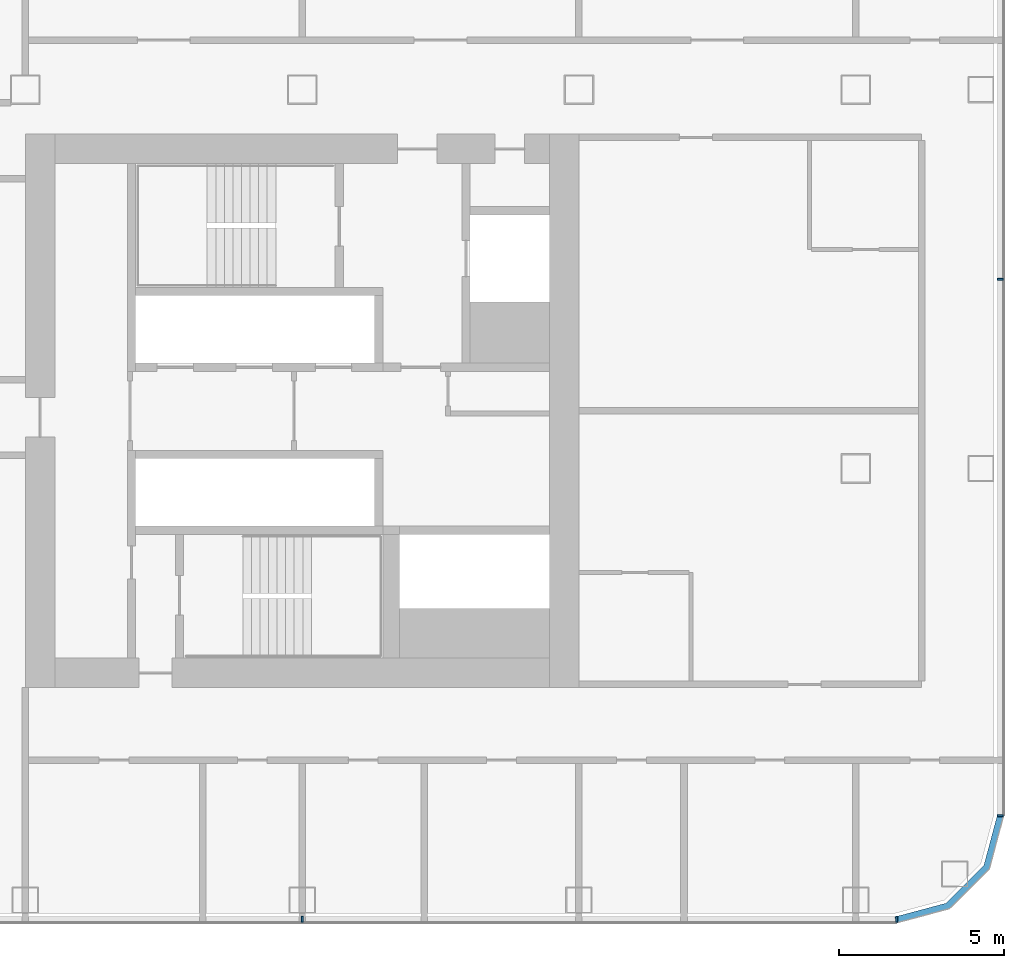
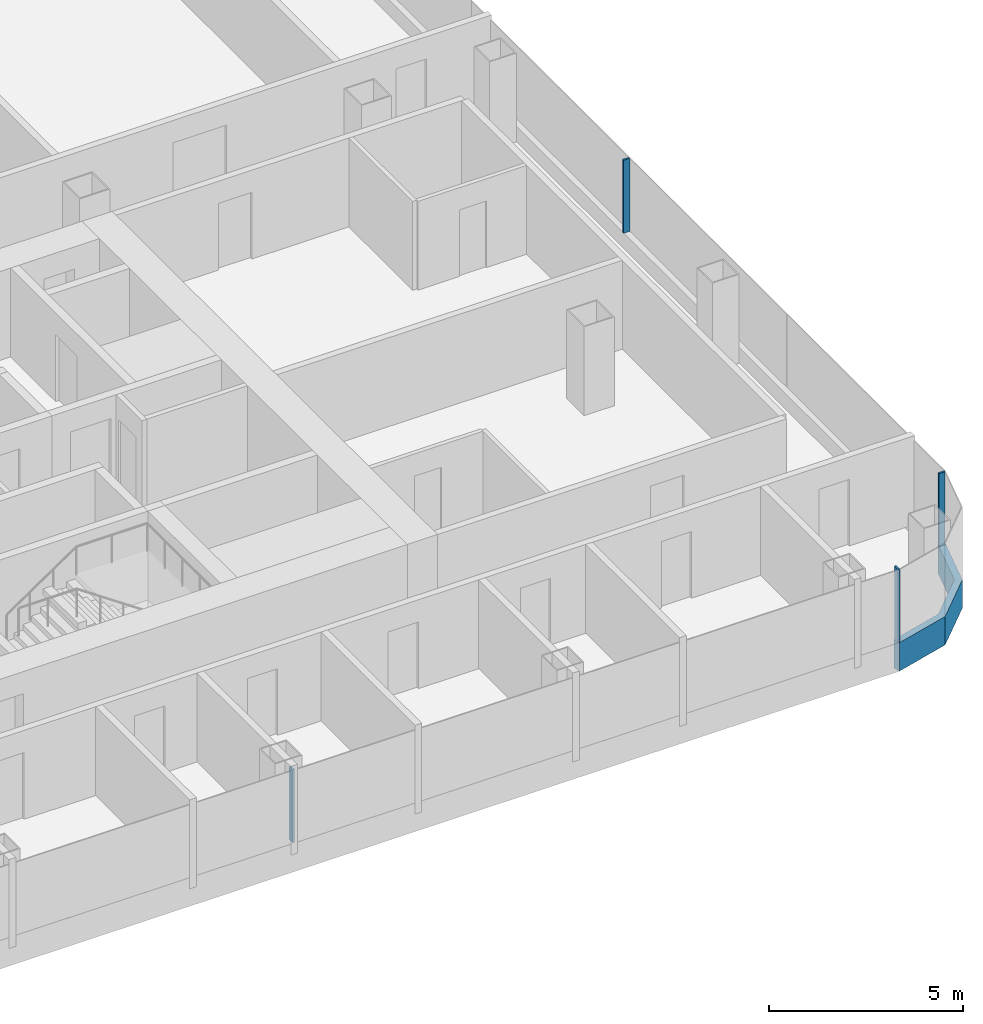
# One storey, part 11 of 29: 5 members, 3 elements without a shape of their own.
"""IFC4 building model written with IfcOpenShell, lengths in metres."""

from ifc_helpers import new_model, si_unit, direction, frame, origin, origin_2d, place, context, subcontext, project, spatial, polyline, rectangle, outline, extrude, material, layer, layer_set, material_profile, profile_set, type_object, element, aggregate, save


model = new_model("IFC4")

# Units and contexts
model_context = context("Model", 3, precision=1e-05, world=origin(), true_north=direction((0.0, 1.0)))
body_context = subcontext(model_context, "Body", "Model", "MODEL_VIEW")
ifc_project = project(units=[si_unit("LENGTHUNIT", "METRE"), si_unit("AREAUNIT", "SQUARE_METRE"), si_unit("VOLUMEUNIT", "CUBIC_METRE"), si_unit("PLANEANGLEUNIT", "RADIAN"), si_unit("MASSUNIT", "GRAM", prefix="KILO")], contexts=[model_context])

# Site, building, storey
site_placement = place(None, origin())
site = spatial("IfcSite", under=ifc_project, at=site_placement, CompositionType="ELEMENT")
building_placement = place(site_placement, origin())
building = spatial("IfcBuilding", under=site, at=building_placement, Name="Hakoniwa Tower and Hamabe Station Hall", CompositionType="ELEMENT")
storey_placement = place(building_placement, frame((0.0, 0.0, 101.0)))
storey = spatial("IfcBuildingStorey", under=building, at=storey_placement, Name="L28", CompositionType="ELEMENT", Elevation=101.0)

# Curtain wall, member
ifc_material_1 = material(Name="Dark low-e laminated glass", Category="glass")
ifc_layer = layer(ifc_material_1, 0.199951171875)
ifc_layer_set = layer_set([ifc_layer], Name="CW-1 UNITISED GUEST")
curtain_wall_type = type_object("IfcCurtainWallType", Name="CW-1 UNITISED GUEST", PredefinedType="NOTDEFINED", material=ifc_layer_set)
curtain_wall_1_placement = place(storey_placement, origin())
curtain_wall_1 = element("IfcCurtainWall", 1, at=curtain_wall_1_placement, inside=storey, type_object=curtain_wall_type, Name="CW-1 curtain wall", PredefinedType="NOTDEFINED")
ifc_material_2 = material(Name="Aluminium 6063-T5 black anodised", Category="aluminium")
ifc_material_profile_1 = material_profile(ifc_material_2, rectangle(XDim=0.199951171875, YDim=0.89990234375, at=origin_2d()), Name="CW SLAB-EDGE BAND 900X200")
ifc_profile_set_1 = profile_set([ifc_material_profile_1], Name="Aluminium 6063-T5 black anodised")
member_type_1 = type_object("IfcMemberType", Name="CW SLAB-EDGE BAND 900X200", PredefinedType="USERDEFINED", material=ifc_profile_set_1)
member_1_placement = place(storey_placement, frame((0.0, 0.0, -0.550048828125)))
member_1 = element("IfcMember", 2, at=member_1_placement, type_object=member_type_1, Name="CW-1 transom", ObjectType="TRANSOM", PredefinedType="USERDEFINED", context=body_context, shape_type="SweptSolid", body=[
    extrude(outline(polyline([(43.239501953125, -15.550048828125), (44.855224609375, -15.116943359375), (46.067138671875, -13.9052734375), (46.5, -12.28955078125), (46.306884765625, -12.23779296875), (45.8876953125, -13.8017578125), (44.751708984375, -14.937744140625), (43.187744140625, -15.35693359375), (43.239501953125, -15.550048828125)])), origin(), (0.0, 0.0, 1.0), 0.900146484375),
])
aggregate(curtain_wall_1, [member_1])

# Curtain wall, members
curtain_wall_2_placement = place(storey_placement, origin())
curtain_wall_2 = element("IfcCurtainWall", 3, at=curtain_wall_2_placement, inside=storey, type_object=curtain_wall_type, Name="CW-1 curtain wall", PredefinedType="NOTDEFINED")
ifc_material_3 = material(Name="Aluminium 6063-T5 black anodised", Category="aluminium")
ifc_material_profile_2 = material_profile(ifc_material_3, rectangle(XDim=0.06005859375, YDim=0.179931640625, at=origin_2d()), Name="CW-1 MULLION 60X180")
ifc_profile_set_2 = profile_set([ifc_material_profile_2], Name="Aluminium 6063-T5 black anodised")
member_type_2 = type_object("IfcMemberType", Name="CW-1 MULLION 60X180", PredefinedType="MULLION", material=ifc_profile_set_2)
member_2_placement = place(storey_placement, frame((46.382080078125, -12.28955078125, 0.35009765625), z_axis=(0.0, 0.0, 1.0), x_axis=(0.0, 1.0, 0.0)))
member_2 = element("IfcMember", 4, at=member_2_placement, type_object=member_type_2, Name="CW-1 mullion", PredefinedType="MULLION", context=body_context, shape_type="SweptSolid", body=[
    extrude(rectangle(XDim=0.06005859375, YDim=0.179931640625, at=origin_2d()), origin(), (0.0, 0.0, 1.0), 2.2998046875),
])
member_3_placement = place(storey_placement, frame((46.382080078125, 4.0, 0.35009765625), z_axis=(0.0, 0.0, 1.0), x_axis=(0.0, 1.0, 0.0)))
member_3 = element("IfcMember", 5, at=member_3_placement, type_object=member_type_2, Name="CW-1 mullion", PredefinedType="MULLION", context=body_context, shape_type="SweptSolid", body=[
    extrude(rectangle(XDim=0.06005859375, YDim=0.179931640625, at=origin_2d()), origin(), (0.0, 0.0, 1.0), 2.2998046875),
])
aggregate(curtain_wall_2, [member_2, member_3])

curtain_wall_3_placement = place(storey_placement, origin())
curtain_wall_3 = element("IfcCurtainWall", 6, at=curtain_wall_3_placement, inside=storey, type_object=curtain_wall_type, Name="CW-1 curtain wall", PredefinedType="NOTDEFINED")
member_4_placement = place(storey_placement, frame((25.199951171875, -15.431884765625, 0.35009765625), z_axis=(0.0, 0.0, 1.0), x_axis=(1.0, 0.0, 0.0)))
member_4 = element("IfcMember", 7, at=member_4_placement, type_object=member_type_2, Name="CW-1 mullion", PredefinedType="MULLION", context=body_context, shape_type="SweptSolid", body=[
    extrude(rectangle(XDim=0.06005859375, YDim=0.179931640625, at=origin_2d()), origin(), (0.0, 0.0, 1.0), 2.2998046875),
])
member_5_placement = place(storey_placement, frame((43.239501953125, -15.431884765625, 0.35009765625), z_axis=(0.0, 0.0, 1.0), x_axis=(1.0, 0.0, 0.0)))
member_5 = element("IfcMember", 8, at=member_5_placement, type_object=member_type_2, Name="CW-1 mullion", PredefinedType="MULLION", context=body_context, shape_type="SweptSolid", body=[
    extrude(rectangle(XDim=0.06005859375, YDim=0.179931640625, at=origin_2d()), origin(), (0.0, 0.0, 1.0), 2.2998046875),
])
aggregate(curtain_wall_3, [member_4, member_5])

save(model, "model.ifc")
